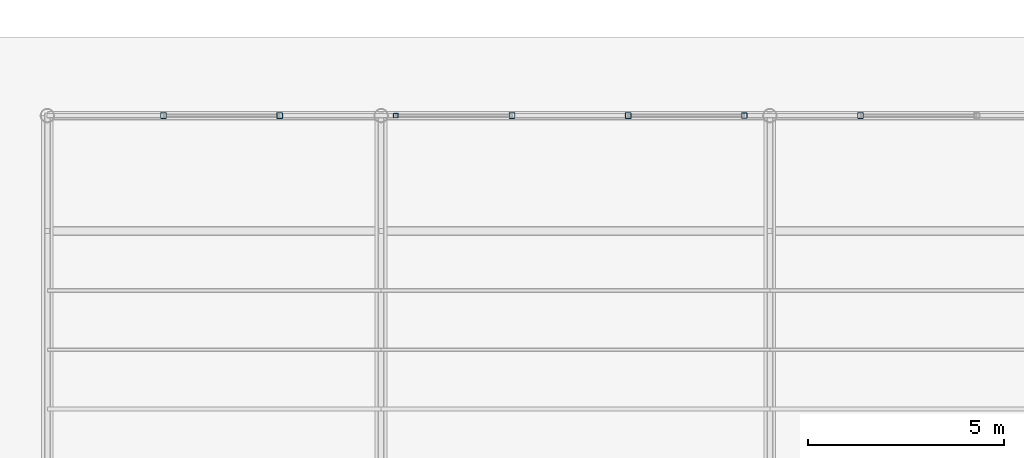
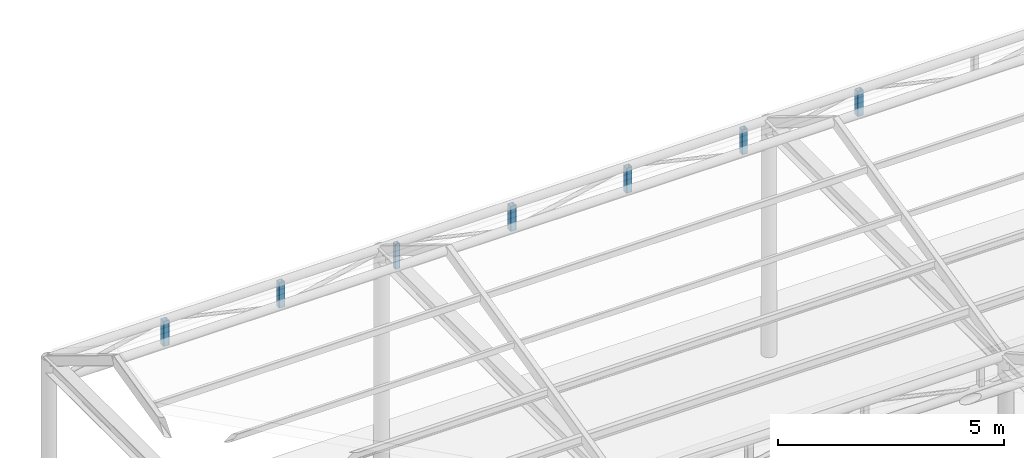
# One storey, part 67 of 118: 7 members.
"""IFC4 building model written with IfcOpenShell, lengths in metres."""

import ifcopenshell
import ifcopenshell.guid

model = None  # the IFC model being written
_history = None  # IfcOwnerHistory: only IFC2X3 demands one
_inside = {}  # id of a spatial element -> (the spatial element, [elements in it])
_under = {}  # id of a project, library or spatial element -> (it, [spatial elements below it])
_declared = {}  # id of a project -> (the project, [libraries it declares])
_typed = {}  # id of a type object -> (the type object, [elements of that type])
_made_of = {}  # id of a material, layer set ... -> (it, [elements and type objects made of it])


def new_model(schema):
    """Start an empty IFC model of exactly this schema.

    Asked for "IFC4X3", IfcOpenShell would pick the latest addendum, in which some entities
    have other attributes; the version numbers below select the first issue.
    IFC2X3 requires an IfcOwnerHistory on every rooted entity: one is made here for all.
    """
    global model, _history
    if schema == "IFC4X3":
        model = ifcopenshell.file(schema_version=(4, 3, 0, 0))
    else:
        model = ifcopenshell.file(schema=schema)
    _inside.clear()
    _under.clear()
    _declared.clear()
    _typed.clear()
    _made_of.clear()
    _history = None
    if model.schema == "IFC2X3":
        org = make("IfcOrganization", Name="unknown")
        user = make(
            "IfcPersonAndOrganization",
            ThePerson=make("IfcPerson", FamilyName="unknown"),
            TheOrganization=org,
        )
        app = make(
            "IfcApplication",
            ApplicationDeveloper=org,
            Version="unknown",
            ApplicationFullName="unknown",
            ApplicationIdentifier="unknown",
        )
        _history = make(
            "IfcOwnerHistory",
            OwningUser=user,
            OwningApplication=app,
            ChangeAction="ADDED",
            CreationDate=0,
        )
    return model


def make(cls, **values):
    """One entity of the class cls with the attributes given. An attribute that is None is left unset."""
    return model.create_entity(
        cls, **{name: value for name, value in values.items() if value is not None}
    )


def rooted(cls, **values):
    """An entity with a GlobalId (a new one), such as an element, a storey or a relation."""
    return make(cls, GlobalId=ifcopenshell.guid.new(), OwnerHistory=_history, **values)


def si_unit(unit_type, name, prefix=None):
    """IfcSIUnit, for example si_unit("LENGTHUNIT", "METRE", prefix="MILLI")."""
    return make("IfcSIUnit", UnitType=unit_type, Prefix=prefix, Name=name)


def assignment(units):
    """IfcUnitAssignment: the units of a project."""
    return None if units is None else make("IfcUnitAssignment", Units=units)


def point(xyz):
    """IfcCartesianPoint."""
    return None if xyz is None else make("IfcCartesianPoint", Coordinates=xyz)


def direction(xyz):
    """IfcDirection."""
    return None if xyz is None else make("IfcDirection", DirectionRatios=xyz)


def frame(location, z_axis=None, x_axis=None):
    """IfcAxis2Placement3D, a coordinate frame: its origin and axes. An axis left out is left unset."""
    return make(
        "IfcAxis2Placement3D",
        Location=point(location),
        Axis=direction(z_axis),
        RefDirection=direction(x_axis),
    )


def frame_2d(location, x_axis=None):
    """IfcAxis2Placement2D, a coordinate frame in the plane: its origin and x axis."""
    return make(
        "IfcAxis2Placement2D", Location=point(location), RefDirection=direction(x_axis)
    )


def origin():
    """The frame at (0, 0, 0) with its axes left unset."""
    return frame((0.0, 0.0, 0.0))


def origin_2d():
    """The frame at (0, 0) in the plane with its x axis left unset."""
    return frame_2d((0.0, 0.0))


def place(relative_to, where):
    """IfcLocalPlacement: puts the frame where relative to a parent placement (None: the world)."""
    return make(
        "IfcLocalPlacement", PlacementRelTo=relative_to, RelativePlacement=where
    )


def context(
    kind, dimensions, precision=None, world=None, true_north=None, identifier=None
):
    """IfcGeometricRepresentationContext, for example the 3D "Model" context."""
    return make(
        "IfcGeometricRepresentationContext",
        ContextIdentifier=identifier,
        ContextType=kind,
        CoordinateSpaceDimension=dimensions,
        Precision=precision,
        WorldCoordinateSystem=world,
        TrueNorth=true_north,
    )


def subcontext(parent, identifier, kind, view, scale=None):
    """IfcGeometricRepresentationSubContext, for example "Body" below "Model"."""
    return make(
        "IfcGeometricRepresentationSubContext",
        ContextIdentifier=identifier,
        ContextType=kind,
        ParentContext=parent,
        TargetScale=scale,
        TargetView=view,
    )


def project(units=None, contexts=None):
    """IfcProject with its units and contexts."""
    return rooted(
        "IfcProject",
        Name="project",
        RepresentationContexts=contexts,
        UnitsInContext=assignment(units),
    )


def spatial(cls, under=None, at=None, **own):
    """A site, building, storey or space (cls), placed at a placement, below another one or the project."""
    s = rooted(cls, ObjectPlacement=at, **own)
    if under is not None:
        _under.setdefault(under.id(), (under, []))[1].append(s)
    return s


def profile(cls, at=None, kind="AREA", **sizes):
    """A parametric profile (cls). Its sizes go by their IFC names, for example OverallWidth=200.0."""
    return make(cls, ProfileType=kind, Position=at, **sizes)


def hollow_rectangle(**sizes):
    """IfcRectangleHollowProfileDef."""
    return profile("IfcRectangleHollowProfileDef", **sizes)


def extrude(swept, where, along, depth):
    """IfcExtrudedAreaSolid: the profile swept, set in the frame where, extruded along a direction by depth."""
    return make(
        "IfcExtrudedAreaSolid",
        SweptArea=swept,
        Position=where,
        ExtrudedDirection=direction(along),
        Depth=depth,
    )


def shape(context_of_items, identifier, shape_type, items):
    """IfcShapeRepresentation: the items that make up one representation, for example the "Body"."""
    return make(
        "IfcShapeRepresentation",
        ContextOfItems=context_of_items,
        RepresentationIdentifier=identifier,
        RepresentationType=shape_type,
        Items=items,
    )


def material(Name=None, Category=None):
    """IfcMaterial."""
    return make("IfcMaterial", Name=Name, Category=Category)


def material_profile(
    of_material, cross_section, Name=None, Category=None, Priority=None
):
    """IfcMaterialProfile: a cross section and its material."""
    return make(
        "IfcMaterialProfile",
        Name=Name,
        Material=of_material,
        Profile=cross_section,
        Priority=Priority,
        Category=Category,
    )


def profile_set(profiles, Name=None, composite=None):
    """IfcMaterialProfileSet."""
    return make(
        "IfcMaterialProfileSet",
        Name=Name,
        MaterialProfiles=profiles,
        CompositeProfile=composite,
    )


def made_of(thing, what):
    """Note that an element or type object is made of a material, layer set ...; save() writes the relation."""
    if what is not None:
        _made_of.setdefault(what.id(), (what, []))[1].append(thing)
    return thing


def type_object(cls, material=None, **own):
    """A type object (cls), such as IfcWallType, which elements share."""
    return made_of(rooted(cls, **own), material)


def element(
    cls,
    number,
    at=None,
    inside=None,
    cuts=None,
    type_object=None,
    material=None,
    context=None,
    identifier="Body",
    shape_type=None,
    held_by="IfcProductDefinitionShape",
    body=None,
    shapes=None,
    **own,
):
    """One element of the class cls, such as IfcWall. Its Tag is "e" and its number.

    at: its placement. inside: the storey or other place that contains it. cuts: it is an
    opening in that element (IfcRelVoidsElement). A single representation is given by context,
    identifier, shape_type and body (its items); several are given by shapes. held_by: the class
    of the entity that holds the representations. save() writes the other relations.
    """
    e = rooted(cls, Tag="e%d" % number, ObjectPlacement=at, **own)
    if body is not None:
        shapes = [shape(context, identifier, shape_type, body)]
    if shapes is not None:
        e.Representation = make(held_by, Representations=shapes)
    if inside is not None:
        _inside.setdefault(inside.id(), (inside, []))[1].append(e)
    if cuts is not None:
        rooted(
            "IfcRelVoidsElement", RelatingBuildingElement=cuts, RelatedOpeningElement=e
        )
    if type_object is not None:
        _typed.setdefault(type_object.id(), (type_object, []))[1].append(e)
    return made_of(e, material)


def aggregate(whole, parts):
    """IfcRelAggregates: a whole, such as a stair, and the parts it consists of."""
    return rooted("IfcRelAggregates", RelatingObject=whole, RelatedObjects=parts)


def save(model, path):
    """Write the relations noted so far, then the file.

    IfcRelAggregates (storeys below a building ...), IfcRelContainedInSpatialStructure (elements
    in a storey), IfcRelDefinesByType, IfcRelAssociatesMaterial and IfcRelDeclares: one each for
    every whole, place, type object, material and project.
    """
    for whole, parts in _under.values():
        aggregate(whole, parts)
    for where, things in _inside.values():
        rooted(
            "IfcRelContainedInSpatialStructure",
            RelatedElements=things,
            RelatingStructure=where,
        )
    for kind, things in _typed.values():
        rooted("IfcRelDefinesByType", RelatedObjects=things, RelatingType=kind)
    for what, things in _made_of.values():
        rooted("IfcRelAssociatesMaterial", RelatedObjects=things, RelatingMaterial=what)
    for by, libraries in _declared.values():
        rooted("IfcRelDeclares", RelatingContext=by, RelatedDefinitions=libraries)
    model.write(path)


model = new_model("IFC4")

# Units and contexts
model_context = context("Model", 3, precision=1e-05, world=origin(), true_north=direction((0.0, 1.0)))
body_context = subcontext(model_context, "Body", "Model", "MODEL_VIEW")
ifc_project = project(units=[si_unit("LENGTHUNIT", "METRE"), si_unit("AREAUNIT", "SQUARE_METRE"), si_unit("VOLUMEUNIT", "CUBIC_METRE"), si_unit("PLANEANGLEUNIT", "RADIAN"), si_unit("MASSUNIT", "GRAM", prefix="KILO")], contexts=[model_context])

# Site, building, storey
site_placement = place(None, origin())
site = spatial("IfcSite", under=ifc_project, at=site_placement, CompositionType="ELEMENT")
building_placement = place(site_placement, origin())
building = spatial("IfcBuilding", under=site, at=building_placement, Name="Kolvaren Corner Interchange", CompositionType="ELEMENT")
storey_placement = place(building_placement, origin())
storey = spatial("IfcBuildingStorey", under=building, at=storey_placement, Name="L01", CompositionType="ELEMENT", Elevation=0.0)

# Members
ifc_material_1 = material(Name="Steel S355", Category="steel")
ifc_material_profile_1 = material_profile(ifc_material_1, hollow_rectangle(XDim=0.1201171875, YDim=0.1201171875, WallThickness=0.00634765625, InnerFilletRadius=0.00634765625, OuterFilletRadius=0.0126953125, at=origin_2d()), Name="SHS 120x120x6.3")
ifc_profile_set_1 = profile_set([ifc_material_profile_1], Name="Steel S355")
member_type_1 = type_object("IfcMemberType", Name="MEM-PT-SHS120", PredefinedType="POST", material=ifc_profile_set_1)
member_1_placement = place(storey_placement, frame((136.875, 112.0, 5.64990234375), z_axis=(0.0, 0.0, 1.0), x_axis=(1.0, 0.0, 0.0)))
element("IfcMember", 1, at=member_1_placement, inside=storey, type_object=member_type_1, Name="Bus Canopy Sawtooth Roof Truss 07 Web Post 04", PredefinedType="POST", context=body_context, shape_type="SweptSolid", body=[
    extrude(hollow_rectangle(XDim=0.1201171875, YDim=0.1201171875, WallThickness=0.00634765625, InnerFilletRadius=0.00634765625, OuterFilletRadius=0.0126953125, at=origin_2d()), origin(), (0.0, 0.0, 1.0), 0.670166015625),
])
ifc_material_2 = material(Name="Steel S355", Category="steel")
ifc_material_profile_2 = material_profile(ifc_material_2, hollow_rectangle(XDim=0.139892578125, YDim=0.139892578125, WallThickness=0.008056640625, InnerFilletRadius=0.008056640625, OuterFilletRadius=0.01611328125, at=origin_2d()), Name="SHS 140x140x8.0")
ifc_profile_set_2 = profile_set([ifc_material_profile_2], Name="Steel S355")
member_type_2 = type_object("IfcMemberType", Name="MEM-PT-SHS140", PredefinedType="POST", material=ifc_profile_set_2)
member_2_placement = place(storey_placement, frame((145.75, 112.0, 5.64990234375), z_axis=(0.0, 0.0, 1.0), x_axis=(1.0, 0.0, 0.0)))
element("IfcMember", 2, at=member_2_placement, inside=storey, type_object=member_type_2, Name="Bus Canopy Sawtooth Roof Truss 07 Web Post 07", PredefinedType="POST", context=body_context, shape_type="SweptSolid", body=[
    extrude(hollow_rectangle(XDim=0.139892578125, YDim=0.139892578125, WallThickness=0.008056640625, InnerFilletRadius=0.008056640625, OuterFilletRadius=0.01611328125, at=origin_2d()), origin(), (0.0, 0.0, 1.0), 0.670166015625),
])
ifc_material_3 = material(Name="Steel S355", Category="steel")
ifc_material_profile_3 = material_profile(ifc_material_3, hollow_rectangle(XDim=0.14990234375, YDim=0.14990234375, WallThickness=0.008056640625, InnerFilletRadius=0.008056640625, OuterFilletRadius=0.01611328125, at=origin_2d()), Name="SHS 150x150x8.0")
ifc_profile_set_3 = profile_set([ifc_material_profile_3], Name="Steel S355")
member_type_3 = type_object("IfcMemberType", Name="MEM-PT-SHS150", PredefinedType="POST", material=ifc_profile_set_3)
for number, where, z_axis, x_axis, name in (
    (3, (130.958251953125, 112.0, 5.64990234375), (0.0, 0.0, 1.0), (1.0, 0.0, 0.0), "Bus Canopy Sawtooth Roof Truss 07 Web Post 02"),
    (4, (133.916748046875, 112.0, 5.64990234375), (0.0, 0.0, 1.0), (1.0, 0.0, 0.0), "Bus Canopy Sawtooth Roof Truss 07 Web Post 03"),
    (5, (139.833251953125, 112.0, 5.64990234375), (0.0, 0.0, 1.0), (1.0, 0.0, 0.0), "Bus Canopy Sawtooth Roof Truss 07 Web Post 05"),
    (6, (142.791748046875, 112.0, 5.64990234375), (0.0, 0.0, 1.0), (1.0, 0.0, 0.0), "Bus Canopy Sawtooth Roof Truss 07 Web Post 06"),
    (7, (148.708251953125, 112.0, 5.64990234375), (0.0, 0.0, 1.0), (1.0, 0.0, 0.0), "Bus Canopy Sawtooth Roof Truss 07 Web Post 08"),
):
    element("IfcMember", number, at=place(storey_placement, frame(where, z_axis=z_axis, x_axis=x_axis)), inside=storey, type_object=member_type_3, Name=name, PredefinedType="POST", context=body_context, shape_type="SweptSolid", body=[
        extrude(hollow_rectangle(XDim=0.14990234375, YDim=0.14990234375, WallThickness=0.008056640625, InnerFilletRadius=0.008056640625, OuterFilletRadius=0.01611328125, at=origin_2d()), origin(), (0.0, 0.0, 1.0), 0.670166015625),
    ])

save(model, "model.ifc")
